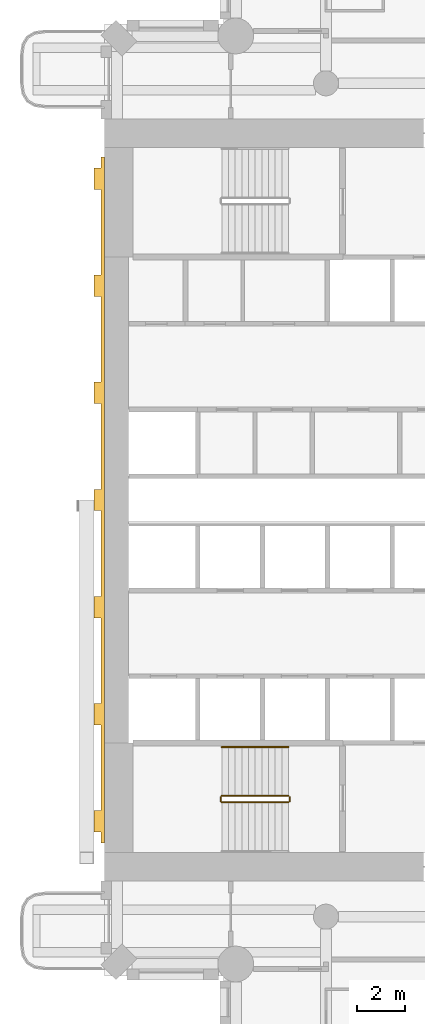
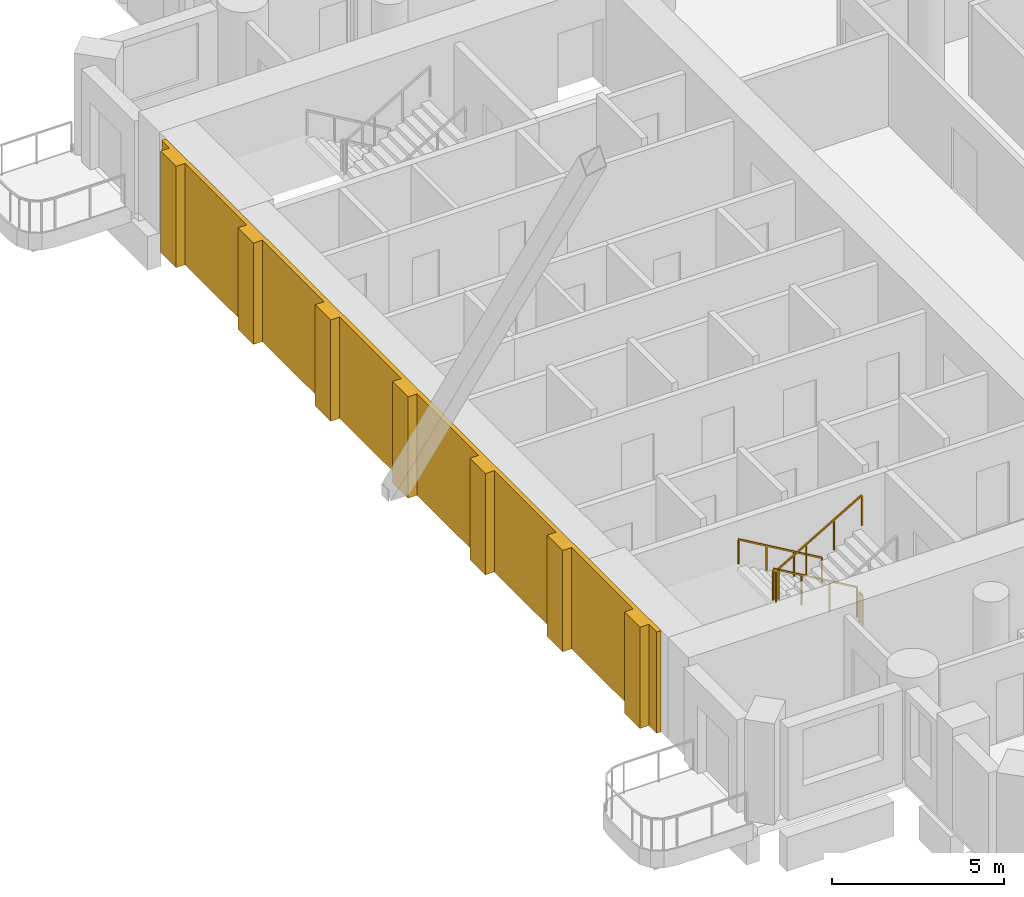
# One storey, part 15 of 21: 5 railings, 1 covering.
"""IFC4 building model written with IfcOpenShell, lengths in metres."""

import ifcopenshell
import ifcopenshell.guid

model = None  # the IFC model being written
_history = None  # IfcOwnerHistory: only IFC2X3 demands one
_inside = {}  # id of a spatial element -> (the spatial element, [elements in it])
_under = {}  # id of a project, library or spatial element -> (it, [spatial elements below it])
_declared = {}  # id of a project -> (the project, [libraries it declares])
_typed = {}  # id of a type object -> (the type object, [elements of that type])
_made_of = {}  # id of a material, layer set ... -> (it, [elements and type objects made of it])


def new_model(schema):
    """Start an empty IFC model of exactly this schema.

    Asked for "IFC4X3", IfcOpenShell would pick the latest addendum, in which some entities
    have other attributes; the version numbers below select the first issue.
    IFC2X3 requires an IfcOwnerHistory on every rooted entity: one is made here for all.
    """
    global model, _history
    if schema == "IFC4X3":
        model = ifcopenshell.file(schema_version=(4, 3, 0, 0))
    else:
        model = ifcopenshell.file(schema=schema)
    _inside.clear()
    _under.clear()
    _declared.clear()
    _typed.clear()
    _made_of.clear()
    _history = None
    if model.schema == "IFC2X3":
        org = make("IfcOrganization", Name="unknown")
        user = make(
            "IfcPersonAndOrganization",
            ThePerson=make("IfcPerson", FamilyName="unknown"),
            TheOrganization=org,
        )
        app = make(
            "IfcApplication",
            ApplicationDeveloper=org,
            Version="unknown",
            ApplicationFullName="unknown",
            ApplicationIdentifier="unknown",
        )
        _history = make(
            "IfcOwnerHistory",
            OwningUser=user,
            OwningApplication=app,
            ChangeAction="ADDED",
            CreationDate=0,
        )
    return model


def make(cls, **values):
    """One entity of the class cls with the attributes given. An attribute that is None is left unset."""
    return model.create_entity(
        cls, **{name: value for name, value in values.items() if value is not None}
    )


def rooted(cls, **values):
    """An entity with a GlobalId (a new one), such as an element, a storey or a relation."""
    return make(cls, GlobalId=ifcopenshell.guid.new(), OwnerHistory=_history, **values)


def si_unit(unit_type, name, prefix=None):
    """IfcSIUnit, for example si_unit("LENGTHUNIT", "METRE", prefix="MILLI")."""
    return make("IfcSIUnit", UnitType=unit_type, Prefix=prefix, Name=name)


def assignment(units):
    """IfcUnitAssignment: the units of a project."""
    return None if units is None else make("IfcUnitAssignment", Units=units)


def point(xyz):
    """IfcCartesianPoint."""
    return None if xyz is None else make("IfcCartesianPoint", Coordinates=xyz)


def direction(xyz):
    """IfcDirection."""
    return None if xyz is None else make("IfcDirection", DirectionRatios=xyz)


def frame(location, z_axis=None, x_axis=None):
    """IfcAxis2Placement3D, a coordinate frame: its origin and axes. An axis left out is left unset."""
    return make(
        "IfcAxis2Placement3D",
        Location=point(location),
        Axis=direction(z_axis),
        RefDirection=direction(x_axis),
    )


def frame_2d(location, x_axis=None):
    """IfcAxis2Placement2D, a coordinate frame in the plane: its origin and x axis."""
    return make(
        "IfcAxis2Placement2D", Location=point(location), RefDirection=direction(x_axis)
    )


def origin():
    """The frame at (0, 0, 0) with its axes left unset."""
    return frame((0.0, 0.0, 0.0))


def origin_2d():
    """The frame at (0, 0) in the plane with its x axis left unset."""
    return frame_2d((0.0, 0.0))


def place(relative_to, where):
    """IfcLocalPlacement: puts the frame where relative to a parent placement (None: the world)."""
    return make(
        "IfcLocalPlacement", PlacementRelTo=relative_to, RelativePlacement=where
    )


def context(
    kind, dimensions, precision=None, world=None, true_north=None, identifier=None
):
    """IfcGeometricRepresentationContext, for example the 3D "Model" context."""
    return make(
        "IfcGeometricRepresentationContext",
        ContextIdentifier=identifier,
        ContextType=kind,
        CoordinateSpaceDimension=dimensions,
        Precision=precision,
        WorldCoordinateSystem=world,
        TrueNorth=true_north,
    )


def subcontext(parent, identifier, kind, view, scale=None):
    """IfcGeometricRepresentationSubContext, for example "Body" below "Model"."""
    return make(
        "IfcGeometricRepresentationSubContext",
        ContextIdentifier=identifier,
        ContextType=kind,
        ParentContext=parent,
        TargetScale=scale,
        TargetView=view,
    )


def project(units=None, contexts=None):
    """IfcProject with its units and contexts."""
    return rooted(
        "IfcProject",
        Name="project",
        RepresentationContexts=contexts,
        UnitsInContext=assignment(units),
    )


def spatial(cls, under=None, at=None, **own):
    """A site, building, storey or space (cls), placed at a placement, below another one or the project."""
    s = rooted(cls, ObjectPlacement=at, **own)
    if under is not None:
        _under.setdefault(under.id(), (under, []))[1].append(s)
    return s


def polyline(points):
    """IfcPolyline through the points."""
    return make("IfcPolyline", Points=[point(p) for p in points])


def profile(cls, at=None, kind="AREA", **sizes):
    """A parametric profile (cls). Its sizes go by their IFC names, for example OverallWidth=200.0."""
    return make(cls, ProfileType=kind, Position=at, **sizes)


def rectangle(**sizes):
    """IfcRectangleProfileDef."""
    return profile("IfcRectangleProfileDef", **sizes)


def outline(outer, holes=None, kind="AREA"):
    """IfcArbitraryClosedProfileDef: a profile drawn as a closed curve; with holes, ...WithVoids."""
    if holes is None:
        return make("IfcArbitraryClosedProfileDef", ProfileType=kind, OuterCurve=outer)
    return make(
        "IfcArbitraryProfileDefWithVoids",
        ProfileType=kind,
        OuterCurve=outer,
        InnerCurves=holes,
    )


def extrude(swept, where, along, depth):
    """IfcExtrudedAreaSolid: the profile swept, set in the frame where, extruded along a direction by depth."""
    return make(
        "IfcExtrudedAreaSolid",
        SweptArea=swept,
        Position=where,
        ExtrudedDirection=direction(along),
        Depth=depth,
    )


def shape(context_of_items, identifier, shape_type, items):
    """IfcShapeRepresentation: the items that make up one representation, for example the "Body"."""
    return make(
        "IfcShapeRepresentation",
        ContextOfItems=context_of_items,
        RepresentationIdentifier=identifier,
        RepresentationType=shape_type,
        Items=items,
    )


def material(Name=None, Category=None):
    """IfcMaterial."""
    return make("IfcMaterial", Name=Name, Category=Category)


def layer(
    of_material, thickness, ventilated=None, Name=None, Category=None, Priority=None
):
    """IfcMaterialLayer: one layer of a wall or slab, of a material (None: an air gap)."""
    return make(
        "IfcMaterialLayer",
        Material=of_material,
        LayerThickness=thickness,
        IsVentilated=ventilated,
        Name=Name,
        Category=Category,
        Priority=Priority,
    )


def layer_set(layers, Name=None):
    """IfcMaterialLayerSet."""
    return make("IfcMaterialLayerSet", MaterialLayers=layers, LayerSetName=Name)


def made_of(thing, what):
    """Note that an element or type object is made of a material, layer set ...; save() writes the relation."""
    if what is not None:
        _made_of.setdefault(what.id(), (what, []))[1].append(thing)
    return thing


def type_object(cls, material=None, **own):
    """A type object (cls), such as IfcWallType, which elements share."""
    return made_of(rooted(cls, **own), material)


def element(
    cls,
    number,
    at=None,
    inside=None,
    cuts=None,
    type_object=None,
    material=None,
    context=None,
    identifier="Body",
    shape_type=None,
    held_by="IfcProductDefinitionShape",
    body=None,
    shapes=None,
    **own,
):
    """One element of the class cls, such as IfcWall. Its Tag is "e" and its number.

    at: its placement. inside: the storey or other place that contains it. cuts: it is an
    opening in that element (IfcRelVoidsElement). A single representation is given by context,
    identifier, shape_type and body (its items); several are given by shapes. held_by: the class
    of the entity that holds the representations. save() writes the other relations.
    """
    e = rooted(cls, Tag="e%d" % number, ObjectPlacement=at, **own)
    if body is not None:
        shapes = [shape(context, identifier, shape_type, body)]
    if shapes is not None:
        e.Representation = make(held_by, Representations=shapes)
    if inside is not None:
        _inside.setdefault(inside.id(), (inside, []))[1].append(e)
    if cuts is not None:
        rooted(
            "IfcRelVoidsElement", RelatingBuildingElement=cuts, RelatedOpeningElement=e
        )
    if type_object is not None:
        _typed.setdefault(type_object.id(), (type_object, []))[1].append(e)
    return made_of(e, material)


def aggregate(whole, parts):
    """IfcRelAggregates: a whole, such as a stair, and the parts it consists of."""
    return rooted("IfcRelAggregates", RelatingObject=whole, RelatedObjects=parts)


def save(model, path):
    """Write the relations noted so far, then the file.

    IfcRelAggregates (storeys below a building ...), IfcRelContainedInSpatialStructure (elements
    in a storey), IfcRelDefinesByType, IfcRelAssociatesMaterial and IfcRelDeclares: one each for
    every whole, place, type object, material and project.
    """
    for whole, parts in _under.values():
        aggregate(whole, parts)
    for where, things in _inside.values():
        rooted(
            "IfcRelContainedInSpatialStructure",
            RelatedElements=things,
            RelatingStructure=where,
        )
    for kind, things in _typed.values():
        rooted("IfcRelDefinesByType", RelatedObjects=things, RelatingType=kind)
    for what, things in _made_of.values():
        rooted("IfcRelAssociatesMaterial", RelatedObjects=things, RelatingMaterial=what)
    for by, libraries in _declared.values():
        rooted("IfcRelDeclares", RelatingContext=by, RelatedDefinitions=libraries)
    model.write(path)


model = new_model("IFC4")

# Units and contexts
model_context = context("Model", 3, precision=1e-05, world=origin(), true_north=direction((0.0, 1.0)))
body_context = subcontext(model_context, "Body", "Model", "MODEL_VIEW")
ifc_project = project(units=[si_unit("LENGTHUNIT", "METRE"), si_unit("AREAUNIT", "SQUARE_METRE"), si_unit("VOLUMEUNIT", "CUBIC_METRE"), si_unit("PLANEANGLEUNIT", "RADIAN"), si_unit("MASSUNIT", "GRAM", prefix="KILO")], contexts=[model_context])

# Site, building, storey
site_placement = place(None, origin())
site = spatial("IfcSite", under=ifc_project, at=site_placement, CompositionType="ELEMENT")
building_placement = place(site_placement, origin())
building = spatial("IfcBuilding", under=site, at=building_placement, Name="Cypress Arch Tower", CompositionType="ELEMENT")
storey_placement = place(building_placement, frame((0.0, 0.0, 127.5)))
storey = spatial("IfcBuildingStorey", under=building, at=storey_placement, Name="L27", CompositionType="ELEMENT", Elevation=127.5)

# Railings
ifc_material_1 = material(Name="Black powder-coated steel square bar 48 mm", Category="steel")
railing_type_1 = type_object("IfcRailingType", Name="Stair handrail HR1", PredefinedType="HANDRAIL", material=ifc_material_1)
railing_1_placement = place(storey_placement, frame((-22.27490234375, -10.375, 0.16357421875)))
element("IfcRailing", 1, at=railing_1_placement, inside=storey, type_object=railing_type_1, Name="L27 A stair handrail 1", PredefinedType="HANDRAIL", context=body_context, shape_type="SweptSolid", body=[
    extrude(rectangle(XDim=0.048095703125, YDim=0.048095703125, at=origin_2d()), frame((0.0, 0.0, 0.8759765625), z_axis=(-0.863360870873, 0.0, 0.504586966384), x_axis=(0.0, -1.0, 0.0)), (0.0, 0.0, 1.0), 3.2431640625),
    extrude(rectangle(XDim=0.0419921875, YDim=0.0419921875, at=origin_2d()), origin(), (0.0, 0.0, 1.0), 0.851806640625),
    extrude(rectangle(XDim=0.0419921875, YDim=0.0419921875, at=origin_2d()), frame((-0.933349609375, 0.0, 0.54541015625)), (0.0, 0.0, 1.0), 0.851806640625),
    extrude(rectangle(XDim=0.0419921875, YDim=0.0419921875, at=origin_2d()), frame((-1.86669921875, 0.0, 1.091064453125)), (0.0, 0.0, 1.0), 0.851806640625),
    extrude(rectangle(XDim=0.0419921875, YDim=0.0419921875, at=origin_2d()), frame((-2.800048828125, 0.0, 1.636474609375)), (0.0, 0.0, 1.0), 0.851806640625),
])
ifc_material_2 = material(Name="Black powder-coated steel balusters", Category="steel")
railing_type_2 = type_object("IfcRailingType", Name="Stair well guard G1", PredefinedType="GUARDRAIL", material=ifc_material_2)
railing_2_placement = place(storey_placement, frame((-22.27490234375, -12.425048828125, 0.16357421875)))
element("IfcRailing", 2, at=railing_2_placement, inside=storey, type_object=railing_type_2, Name="L27 A stair guard 1", PredefinedType="GUARDRAIL", context=body_context, shape_type="SweptSolid", body=[
    extrude(rectangle(XDim=0.048095703125, YDim=0.048095703125, at=origin_2d()), frame((0.0, 0.0, 1.076171875), z_axis=(-0.863360870873, 0.0, 0.504586966384), x_axis=(0.0, -1.0, 0.0)), (0.0, 0.0, 1.0), 3.2431640625),
    extrude(rectangle(XDim=0.0419921875, YDim=0.0419921875, at=origin_2d()), origin(), (0.0, 0.0, 1.0), 1.052001953125),
    extrude(rectangle(XDim=0.0419921875, YDim=0.0419921875, at=origin_2d()), frame((-0.933349609375, 0.0, 0.54541015625)), (0.0, 0.0, 1.0), 1.052001953125),
    extrude(rectangle(XDim=0.0419921875, YDim=0.0419921875, at=origin_2d()), frame((-1.86669921875, 0.0, 1.091064453125)), (0.0, 0.0, 1.0), 1.052001953125),
    extrude(rectangle(XDim=0.0419921875, YDim=0.0419921875, at=origin_2d()), frame((-2.800048828125, 0.0, 1.636474609375)), (0.0, 0.0, 1.0), 1.052001953125),
])
railing_3_placement = place(storey_placement, frame((-25.125, -12.47509765625, 1.800048828125)))
element("IfcRailing", 3, at=railing_3_placement, inside=storey, type_object=railing_type_2, Name="L27 A stair guard 2", PredefinedType="GUARDRAIL", context=body_context, shape_type="SweptSolid", body=[
    extrude(rectangle(XDim=0.048095703125, YDim=0.048095703125, at=origin_2d()), frame((0.0, 0.0, 1.076171875), z_axis=(0.0, -1.0, 0.0), x_axis=(1.0, 0.0, 0.0)), (0.0, 0.0, 1.0), 0.1748046875),
    extrude(rectangle(XDim=0.0419921875, YDim=0.0419921875, at=origin_2d()), origin(), (0.0, 0.0, 1.0), 1.052001953125),
    extrude(rectangle(XDim=0.0419921875, YDim=0.0419921875, at=origin_2d()), frame((0.0, -0.1748046875, 0.0)), (0.0, 0.0, 1.0), 1.052001953125),
])
railing_4_placement = place(storey_placement, frame((-25.074951171875, -12.699951171875, 1.963623046875)))
element("IfcRailing", 4, at=railing_4_placement, inside=storey, type_object=railing_type_2, Name="L27 A stair guard 3", PredefinedType="GUARDRAIL", context=body_context, shape_type="SweptSolid", body=[
    extrude(rectangle(XDim=0.048095703125, YDim=0.048095703125, at=origin_2d()), frame((0.0, 0.0, 1.076171875), z_axis=(0.863360870873, 0.0, 0.504586966384), x_axis=(0.0, 1.0, 0.0)), (0.0, 0.0, 1.0), 3.2431640625),
    extrude(rectangle(XDim=0.0419921875, YDim=0.0419921875, at=origin_2d()), origin(), (0.0, 0.0, 1.0), 1.052001953125),
    extrude(rectangle(XDim=0.0419921875, YDim=0.0419921875, at=origin_2d()), frame((0.933349609375, 0.0, 0.54541015625)), (0.0, 0.0, 1.0), 1.052001953125),
    extrude(rectangle(XDim=0.0419921875, YDim=0.0419921875, at=origin_2d()), frame((1.86669921875, 0.0, 1.091064453125)), (0.0, 0.0, 1.0), 1.052001953125),
    extrude(rectangle(XDim=0.0419921875, YDim=0.0419921875, at=origin_2d()), frame((2.800048828125, 0.0, 1.636474609375)), (0.0, 0.0, 1.0), 1.052001953125),
])
railing_5_placement = place(storey_placement, frame((-22.22509765625, -12.47509765625, 0.0)))
element("IfcRailing", 5, at=railing_5_placement, inside=storey, type_object=railing_type_2, Name="L27 A stair guard 4", PredefinedType="GUARDRAIL", context=body_context, shape_type="SweptSolid", body=[
    extrude(rectangle(XDim=0.048095703125, YDim=0.048095703125, at=origin_2d()), frame((0.0, 0.0, 1.076171875), z_axis=(0.0, -1.0, 0.0), x_axis=(1.0, 0.0, 0.0)), (0.0, 0.0, 1.0), 0.1748046875),
    extrude(rectangle(XDim=0.0419921875, YDim=0.0419921875, at=origin_2d()), origin(), (0.0, 0.0, 1.0), 1.052001953125),
    extrude(rectangle(XDim=0.0419921875, YDim=0.0419921875, at=origin_2d()), frame((0.0, -0.1748046875, 0.0)), (0.0, 0.0, 1.0), 1.052001953125),
])

# Covering
ifc_material_3 = material(Name="Brick (red buff blend)", Category="masonry")
ifc_layer = layer(ifc_material_3, 0.449951171875)
ifc_layer_set = layer_set([ifc_layer], Name="West face brick piers WP450")
covering_type = type_object("IfcCoveringType", Name="West face brick piers WP450", PredefinedType="CLADDING", material=ifc_layer_set)
covering_placement = place(storey_placement, origin())
element("IfcCovering", 6, at=covering_placement, inside=storey, type_object=covering_type, Name="West face brick piers L27", PredefinedType="CLADDING", context=body_context, shape_type="SweptSolid", body=[
    extrude(outline(polyline([(-30.14990234375, -13.050048828125), (-30.14990234375, -9.449951171875), (-30.449951171875, -9.449951171875), (-30.449951171875, -8.550048828125), (-30.14990234375, -8.550048828125), (-30.14990234375, -4.949951171875), (-30.449951171875, -4.949951171875), (-30.449951171875, -4.050048828125), (-30.14990234375, -4.050048828125), (-30.14990234375, -0.449951171875), (-30.449951171875, -0.449951171875), (-30.449951171875, 0.449951171875), (-30.14990234375, 0.449951171875), (-30.14990234375, 4.050048828125), (-30.449951171875, 4.050048828125), (-30.449951171875, 4.949951171875), (-30.14990234375, 4.949951171875), (-30.14990234375, 8.550048828125), (-30.449951171875, 8.550048828125), (-30.449951171875, 9.449951171875), (-30.14990234375, 9.449951171875), (-30.14990234375, 13.050048828125), (-30.449951171875, 13.050048828125), (-30.449951171875, 13.949951171875), (-30.14990234375, 13.949951171875), (-30.14990234375, 14.39990234375), (-30.0, 14.39990234375), (-30.0, -14.39990234375), (-30.14990234375, -14.39990234375), (-30.14990234375, -13.949951171875), (-30.449951171875, -13.949951171875), (-30.449951171875, -13.050048828125), (-30.14990234375, -13.050048828125)])), origin(), (0.0, 0.0, 1.0), 3.60009765625),
])

save(model, "model.ifc")
